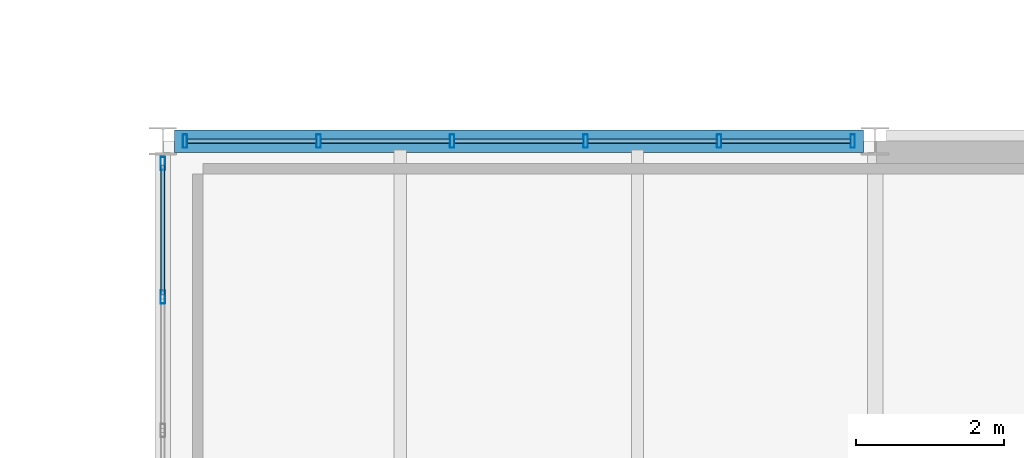
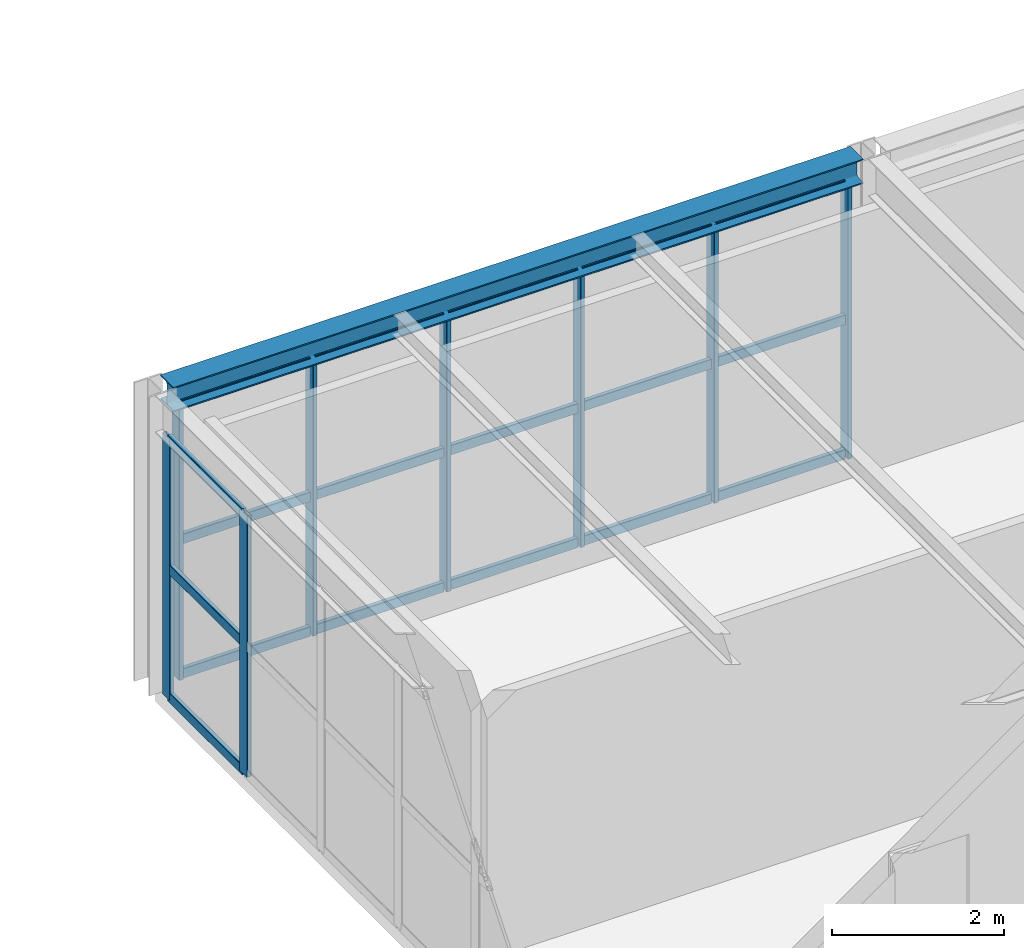
# One storey, part 117 of 170: 26 members, 1 beam, 2 elements without a shape of their own.
"""IFC4 building model written with IfcOpenShell, lengths in metres."""

from ifc_helpers import new_model, si_unit, direction, frame, origin, origin_2d, place, context, subcontext, project, spatial, hollow_rectangle, i_section, extrude, material, material_profile, profile_set, type_object, element, aggregate, save


model = new_model("IFC4")

# Units and contexts
model_context = context("Model", 3, precision=1e-05, world=origin(), true_north=direction((0.0, 1.0)))
body_context = subcontext(model_context, "Body", "Model", "MODEL_VIEW")
ifc_project = project(units=[si_unit("LENGTHUNIT", "METRE"), si_unit("AREAUNIT", "SQUARE_METRE"), si_unit("VOLUMEUNIT", "CUBIC_METRE"), si_unit("PLANEANGLEUNIT", "RADIAN"), si_unit("MASSUNIT", "GRAM", prefix="KILO")], contexts=[model_context])

# Site, building, storey
site_placement = place(None, origin())
site = spatial("IfcSite", under=ifc_project, at=site_placement, CompositionType="ELEMENT")
building_placement = place(site_placement, origin())
building = spatial("IfcBuilding", under=site, at=building_placement, Name="Coralgate Yard Interchange", CompositionType="ELEMENT")
storey_placement = place(building_placement, frame((0.0, 0.0, 6.0)))
storey = spatial("IfcBuildingStorey", under=building, at=storey_placement, Name="L01", CompositionType="ELEMENT", Elevation=6.0)

# Beam
ifc_material_1 = material(Name="Structural steel S355J2", Category="steel")
ifc_material_profile_1 = material_profile(ifc_material_1, i_section(OverallWidth=0.300048828125, OverallDepth=0.35009765625, WebThickness=0.010009765625, FlangeThickness=0.017578125, FilletRadius=0.027099609375, at=origin_2d()), Name="HEA 360")
ifc_profile_set_1 = profile_set([ifc_material_profile_1], Name="Structural steel S355J2")
beam_type = type_object("IfcBeamType", Name="BM-SP-1", PredefinedType="SPANDREL", material=ifc_profile_set_1)
beam_placement = place(storey_placement, frame((134.556396484375, 19.199951171875, 4.074951171875), z_axis=(1.0, 0.0, 0.0), x_axis=(0.0, 1.0, 0.0)))
element("IfcBeam", 1, at=beam_placement, inside=storey, type_object=beam_type, Name="L01 primary grid beam Y2 X14-15", PredefinedType="SPANDREL", context=body_context, shape_type="SweptSolid", body=[
    extrude(i_section(OverallWidth=0.300048828125, OverallDepth=0.35009765625, WebThickness=0.010009765625, FlangeThickness=0.017578125, FilletRadius=0.027099609375, at=origin_2d()), origin(), (0.0, 0.0, 1.0), 9.287353515625),
])

# Curtain wall, members
ifc_material_2 = material(Name="Anodised coastal aluminium and solar-control low-E glass", Category="aluminium")
curtain_wall_type_1 = type_object("IfcCurtainWallType", Name="CW-CW-L01-A", PredefinedType="NOTDEFINED", material=ifc_material_2)
curtain_wall_1_placement = place(storey_placement, origin())
curtain_wall_1 = element("IfcCurtainWall", 2, at=curtain_wall_1_placement, inside=storey, type_object=curtain_wall_type_1, Name="L01 unitised curtain wall CW-L01-W-14-01", PredefinedType="NOTDEFINED")
ifc_material_3 = material(Name="Anodised coastal aluminium 6063-T6", Category="aluminium")
ifc_material_profile_2 = material_profile(ifc_material_3, hollow_rectangle(XDim=0.06005859375, YDim=0.179931640625, WallThickness=0.00390625, InnerFilletRadius=0.00390625, OuterFilletRadius=0.008056640625, at=origin_2d()), Name="ALU 60x180x4")
ifc_profile_set_2 = profile_set([ifc_material_profile_2], Name="Anodised coastal aluminium 6063-T6")
member_type_1 = type_object("IfcMemberType", Name="MB-MUL-180", PredefinedType="MULLION", material=ifc_profile_set_2)
member_1_placement = place(storey_placement, frame((134.39990234375, 17.10009765625, 0.0), z_axis=(0.0, 0.0, 1.0), x_axis=(1.0, 0.0, 0.0)))
member_1 = element("IfcMember", 3, at=member_1_placement, type_object=member_type_1, Name="CW-L01-W-14-01 vertical mullion 5", PredefinedType="MULLION", context=body_context, shape_type="SweptSolid", body=[
    extrude(hollow_rectangle(XDim=0.06005859375, YDim=0.179931640625, WallThickness=0.00390625, InnerFilletRadius=0.00390625, OuterFilletRadius=0.008056640625, at=origin_2d()), origin(), (0.0, 0.0, 1.0), 3.716796875),
])
member_2_placement = place(storey_placement, frame((134.39990234375, 18.89990234375, 0.0), z_axis=(0.0, 0.0, 1.0), x_axis=(1.0, 0.0, 0.0)))
member_2 = element("IfcMember", 4, at=member_2_placement, type_object=member_type_1, Name="CW-L01-W-14-01 vertical mullion 6", PredefinedType="MULLION", context=body_context, shape_type="SweptSolid", body=[
    extrude(hollow_rectangle(XDim=0.06005859375, YDim=0.179931640625, WallThickness=0.00390625, InnerFilletRadius=0.00390625, OuterFilletRadius=0.008056640625, at=origin_2d()), origin(), (0.0, 0.0, 1.0), 3.716796875),
])

curtain_wall_type_2 = type_object("IfcCurtainWallType", Name="CW-CW-L01-B", PredefinedType="NOTDEFINED", material=ifc_material_2)
curtain_wall_2_placement = place(storey_placement, origin())
curtain_wall_2 = element("IfcCurtainWall", 5, at=curtain_wall_2_placement, inside=storey, type_object=curtain_wall_type_2, Name="L01 unitised curtain wall CW-L01-N-14-01", PredefinedType="NOTDEFINED")
member_3_placement = place(storey_placement, frame((134.699951171875, 19.199951171875, 0.0), z_axis=(0.0, 0.0, 1.0), x_axis=(1.0, 0.0, 0.0)))
member_3 = element("IfcMember", 6, at=member_3_placement, type_object=member_type_1, Name="CW-L01-N-14-01 vertical mullion 1", PredefinedType="MULLION", context=body_context, shape_type="SweptSolid", body=[
    extrude(hollow_rectangle(XDim=0.06005859375, YDim=0.179931640625, WallThickness=0.00390625, InnerFilletRadius=0.00390625, OuterFilletRadius=0.008056640625, at=origin_2d()), origin(), (0.0, 0.0, 1.0), 3.89990234375),
])
member_4_placement = place(storey_placement, frame((136.5, 19.199951171875, 0.0), z_axis=(0.0, 0.0, 1.0), x_axis=(1.0, 0.0, 0.0)))
member_4 = element("IfcMember", 7, at=member_4_placement, type_object=member_type_1, Name="CW-L01-N-14-01 vertical mullion 2", PredefinedType="MULLION", context=body_context, shape_type="SweptSolid", body=[
    extrude(hollow_rectangle(XDim=0.06005859375, YDim=0.179931640625, WallThickness=0.00390625, InnerFilletRadius=0.00390625, OuterFilletRadius=0.008056640625, at=origin_2d()), origin(), (0.0, 0.0, 1.0), 3.89990234375),
])
member_5_placement = place(storey_placement, frame((138.300048828125, 19.199951171875, 0.0), z_axis=(0.0, 0.0, 1.0), x_axis=(1.0, 0.0, 0.0)))
member_5 = element("IfcMember", 8, at=member_5_placement, type_object=member_type_1, Name="CW-L01-N-14-01 vertical mullion 3", PredefinedType="MULLION", context=body_context, shape_type="SweptSolid", body=[
    extrude(hollow_rectangle(XDim=0.06005859375, YDim=0.179931640625, WallThickness=0.00390625, InnerFilletRadius=0.00390625, OuterFilletRadius=0.008056640625, at=origin_2d()), origin(), (0.0, 0.0, 1.0), 3.89990234375),
])
member_6_placement = place(storey_placement, frame((140.10009765625, 19.199951171875, 0.0), z_axis=(0.0, 0.0, 1.0), x_axis=(1.0, 0.0, 0.0)))
member_6 = element("IfcMember", 9, at=member_6_placement, type_object=member_type_1, Name="CW-L01-N-14-01 vertical mullion 4", PredefinedType="MULLION", context=body_context, shape_type="SweptSolid", body=[
    extrude(hollow_rectangle(XDim=0.06005859375, YDim=0.179931640625, WallThickness=0.00390625, InnerFilletRadius=0.00390625, OuterFilletRadius=0.008056640625, at=origin_2d()), origin(), (0.0, 0.0, 1.0), 3.89990234375),
])
member_7_placement = place(storey_placement, frame((141.89990234375, 19.199951171875, 0.0), z_axis=(0.0, 0.0, 1.0), x_axis=(1.0, 0.0, 0.0)))
member_7 = element("IfcMember", 10, at=member_7_placement, type_object=member_type_1, Name="CW-L01-N-14-01 vertical mullion 5", PredefinedType="MULLION", context=body_context, shape_type="SweptSolid", body=[
    extrude(hollow_rectangle(XDim=0.06005859375, YDim=0.179931640625, WallThickness=0.00390625, InnerFilletRadius=0.00390625, OuterFilletRadius=0.008056640625, at=origin_2d()), origin(), (0.0, 0.0, 1.0), 3.89990234375),
])
member_8_placement = place(storey_placement, frame((143.699951171875, 19.199951171875, 0.0), z_axis=(0.0, 0.0, 1.0), x_axis=(1.0, 0.0, 0.0)))
member_8 = element("IfcMember", 11, at=member_8_placement, type_object=member_type_1, Name="CW-L01-N-14-01 vertical mullion 6", PredefinedType="MULLION", context=body_context, shape_type="SweptSolid", body=[
    extrude(hollow_rectangle(XDim=0.06005859375, YDim=0.179931640625, WallThickness=0.00390625, InnerFilletRadius=0.00390625, OuterFilletRadius=0.008056640625, at=origin_2d()), origin(), (0.0, 0.0, 1.0), 3.89990234375),
])

# Member
ifc_material_profile_3 = material_profile(ifc_material_3, hollow_rectangle(XDim=0.06005859375, YDim=0.139892578125, WallThickness=0.00341796875, InnerFilletRadius=0.00341796875, OuterFilletRadius=0.007080078125, at=origin_2d()), Name="ALU 60x140x3.5")
ifc_profile_set_3 = profile_set([ifc_material_profile_3], Name="Anodised coastal aluminium 6063-T6")
member_type_2 = type_object("IfcMemberType", Name="MB-TRN-140", PredefinedType="USERDEFINED", material=ifc_profile_set_3)
member_9_placement = place(storey_placement, frame((134.39990234375, 17.1298828125, 0.034912109375), z_axis=(0.0, 1.0, 0.0), x_axis=(-1.0, 0.0, 0.0)))
member_9 = element("IfcMember", 12, at=member_9_placement, type_object=member_type_2, Name="CW-L01-W-14-01 horizontal transom 5-1", ObjectType="TRANSOM", PredefinedType="USERDEFINED", context=body_context, shape_type="SweptSolid", body=[
    extrude(hollow_rectangle(XDim=0.06005859375, YDim=0.139892578125, WallThickness=0.00341796875, InnerFilletRadius=0.00341796875, OuterFilletRadius=0.007080078125, at=origin_2d()), origin(), (0.0, 0.0, 1.0), 1.740234375),
])

member_10_placement = place(storey_placement, frame((134.39990234375, 17.1298828125, 1.8583984375), z_axis=(0.0, 1.0, 0.0), x_axis=(-1.0, 0.0, 0.0)))
member_10 = element("IfcMember", 13, at=member_10_placement, type_object=member_type_2, Name="CW-L01-W-14-01 horizontal transom 5-2", ObjectType="TRANSOM", PredefinedType="USERDEFINED", context=body_context, shape_type="SweptSolid", body=[
    extrude(hollow_rectangle(XDim=0.06005859375, YDim=0.139892578125, WallThickness=0.00341796875, InnerFilletRadius=0.00341796875, OuterFilletRadius=0.007080078125, at=origin_2d()), origin(), (0.0, 0.0, 1.0), 1.740234375),
])

member_11_placement = place(storey_placement, frame((134.39990234375, 17.1298828125, 3.681884765625), z_axis=(0.0, 1.0, 0.0), x_axis=(-1.0, 0.0, 0.0)))
member_11 = element("IfcMember", 14, at=member_11_placement, type_object=member_type_2, Name="CW-L01-W-14-01 horizontal transom 5-3", ObjectType="TRANSOM", PredefinedType="USERDEFINED", context=body_context, shape_type="SweptSolid", body=[
    extrude(hollow_rectangle(XDim=0.06005859375, YDim=0.139892578125, WallThickness=0.00341796875, InnerFilletRadius=0.00341796875, OuterFilletRadius=0.007080078125, at=origin_2d()), origin(), (0.0, 0.0, 1.0), 1.740234375),
])

aggregate(curtain_wall_1, [member_1, member_2, member_9, member_10, member_11])

member_12_placement = place(storey_placement, frame((134.72998046875, 19.199951171875, 0.034912109375), z_axis=(1.0, 0.0, 0.0), x_axis=(0.0, 1.0, 0.0)))
member_12 = element("IfcMember", 15, at=member_12_placement, type_object=member_type_2, Name="CW-L01-N-14-01 horizontal transom 1-1", ObjectType="TRANSOM", PredefinedType="USERDEFINED", context=body_context, shape_type="SweptSolid", body=[
    extrude(hollow_rectangle(XDim=0.06005859375, YDim=0.139892578125, WallThickness=0.00341796875, InnerFilletRadius=0.00341796875, OuterFilletRadius=0.007080078125, at=origin_2d()), origin(), (0.0, 0.0, 1.0), 1.739990234375),
])

member_13_placement = place(storey_placement, frame((134.72998046875, 19.199951171875, 1.949951171875), z_axis=(1.0, 0.0, 0.0), x_axis=(0.0, 1.0, 0.0)))
member_13 = element("IfcMember", 16, at=member_13_placement, type_object=member_type_2, Name="CW-L01-N-14-01 horizontal transom 1-2", ObjectType="TRANSOM", PredefinedType="USERDEFINED", context=body_context, shape_type="SweptSolid", body=[
    extrude(hollow_rectangle(XDim=0.06005859375, YDim=0.139892578125, WallThickness=0.00341796875, InnerFilletRadius=0.00341796875, OuterFilletRadius=0.007080078125, at=origin_2d()), origin(), (0.0, 0.0, 1.0), 1.739990234375),
])

member_14_placement = place(storey_placement, frame((134.72998046875, 19.199951171875, 3.864990234375), z_axis=(1.0, 0.0, 0.0), x_axis=(0.0, 1.0, 0.0)))
member_14 = element("IfcMember", 17, at=member_14_placement, type_object=member_type_2, Name="CW-L01-N-14-01 horizontal transom 1-3", ObjectType="TRANSOM", PredefinedType="USERDEFINED", context=body_context, shape_type="SweptSolid", body=[
    extrude(hollow_rectangle(XDim=0.06005859375, YDim=0.139892578125, WallThickness=0.00341796875, InnerFilletRadius=0.00341796875, OuterFilletRadius=0.007080078125, at=origin_2d()), origin(), (0.0, 0.0, 1.0), 1.739990234375),
])

member_15_placement = place(storey_placement, frame((136.530029296875, 19.199951171875, 0.034912109375), z_axis=(1.0, 0.0, 0.0), x_axis=(0.0, 1.0, 0.0)))
member_15 = element("IfcMember", 18, at=member_15_placement, type_object=member_type_2, Name="CW-L01-N-14-01 horizontal transom 2-1", ObjectType="TRANSOM", PredefinedType="USERDEFINED", context=body_context, shape_type="SweptSolid", body=[
    extrude(hollow_rectangle(XDim=0.06005859375, YDim=0.139892578125, WallThickness=0.00341796875, InnerFilletRadius=0.00341796875, OuterFilletRadius=0.007080078125, at=origin_2d()), origin(), (0.0, 0.0, 1.0), 1.739990234375),
])

member_16_placement = place(storey_placement, frame((136.530029296875, 19.199951171875, 1.949951171875), z_axis=(1.0, 0.0, 0.0), x_axis=(0.0, 1.0, 0.0)))
member_16 = element("IfcMember", 19, at=member_16_placement, type_object=member_type_2, Name="CW-L01-N-14-01 horizontal transom 2-2", ObjectType="TRANSOM", PredefinedType="USERDEFINED", context=body_context, shape_type="SweptSolid", body=[
    extrude(hollow_rectangle(XDim=0.06005859375, YDim=0.139892578125, WallThickness=0.00341796875, InnerFilletRadius=0.00341796875, OuterFilletRadius=0.007080078125, at=origin_2d()), origin(), (0.0, 0.0, 1.0), 1.739990234375),
])

member_17_placement = place(storey_placement, frame((136.530029296875, 19.199951171875, 3.864990234375), z_axis=(1.0, 0.0, 0.0), x_axis=(0.0, 1.0, 0.0)))
member_17 = element("IfcMember", 20, at=member_17_placement, type_object=member_type_2, Name="CW-L01-N-14-01 horizontal transom 2-3", ObjectType="TRANSOM", PredefinedType="USERDEFINED", context=body_context, shape_type="SweptSolid", body=[
    extrude(hollow_rectangle(XDim=0.06005859375, YDim=0.139892578125, WallThickness=0.00341796875, InnerFilletRadius=0.00341796875, OuterFilletRadius=0.007080078125, at=origin_2d()), origin(), (0.0, 0.0, 1.0), 1.739990234375),
])

member_18_placement = place(storey_placement, frame((138.330078125, 19.199951171875, 0.034912109375), z_axis=(1.0, 0.0, 0.0), x_axis=(0.0, 1.0, 0.0)))
member_18 = element("IfcMember", 21, at=member_18_placement, type_object=member_type_2, Name="CW-L01-N-14-01 horizontal transom 3-1", ObjectType="TRANSOM", PredefinedType="USERDEFINED", context=body_context, shape_type="SweptSolid", body=[
    extrude(hollow_rectangle(XDim=0.06005859375, YDim=0.139892578125, WallThickness=0.00341796875, InnerFilletRadius=0.00341796875, OuterFilletRadius=0.007080078125, at=origin_2d()), origin(), (0.0, 0.0, 1.0), 1.739990234375),
])

member_19_placement = place(storey_placement, frame((138.330078125, 19.199951171875, 1.949951171875), z_axis=(1.0, 0.0, 0.0), x_axis=(0.0, 1.0, 0.0)))
member_19 = element("IfcMember", 22, at=member_19_placement, type_object=member_type_2, Name="CW-L01-N-14-01 horizontal transom 3-2", ObjectType="TRANSOM", PredefinedType="USERDEFINED", context=body_context, shape_type="SweptSolid", body=[
    extrude(hollow_rectangle(XDim=0.06005859375, YDim=0.139892578125, WallThickness=0.00341796875, InnerFilletRadius=0.00341796875, OuterFilletRadius=0.007080078125, at=origin_2d()), origin(), (0.0, 0.0, 1.0), 1.739990234375),
])

member_20_placement = place(storey_placement, frame((138.330078125, 19.199951171875, 3.864990234375), z_axis=(1.0, 0.0, 0.0), x_axis=(0.0, 1.0, 0.0)))
member_20 = element("IfcMember", 23, at=member_20_placement, type_object=member_type_2, Name="CW-L01-N-14-01 horizontal transom 3-3", ObjectType="TRANSOM", PredefinedType="USERDEFINED", context=body_context, shape_type="SweptSolid", body=[
    extrude(hollow_rectangle(XDim=0.06005859375, YDim=0.139892578125, WallThickness=0.00341796875, InnerFilletRadius=0.00341796875, OuterFilletRadius=0.007080078125, at=origin_2d()), origin(), (0.0, 0.0, 1.0), 1.739990234375),
])

member_21_placement = place(storey_placement, frame((140.1298828125, 19.199951171875, 0.034912109375), z_axis=(1.0, 0.0, 0.0), x_axis=(0.0, 1.0, 0.0)))
member_21 = element("IfcMember", 24, at=member_21_placement, type_object=member_type_2, Name="CW-L01-N-14-01 horizontal transom 4-1", ObjectType="TRANSOM", PredefinedType="USERDEFINED", context=body_context, shape_type="SweptSolid", body=[
    extrude(hollow_rectangle(XDim=0.06005859375, YDim=0.139892578125, WallThickness=0.00341796875, InnerFilletRadius=0.00341796875, OuterFilletRadius=0.007080078125, at=origin_2d()), origin(), (0.0, 0.0, 1.0), 1.740234375),
])

member_22_placement = place(storey_placement, frame((140.1298828125, 19.199951171875, 1.949951171875), z_axis=(1.0, 0.0, 0.0), x_axis=(0.0, 1.0, 0.0)))
member_22 = element("IfcMember", 25, at=member_22_placement, type_object=member_type_2, Name="CW-L01-N-14-01 horizontal transom 4-2", ObjectType="TRANSOM", PredefinedType="USERDEFINED", context=body_context, shape_type="SweptSolid", body=[
    extrude(hollow_rectangle(XDim=0.06005859375, YDim=0.139892578125, WallThickness=0.00341796875, InnerFilletRadius=0.00341796875, OuterFilletRadius=0.007080078125, at=origin_2d()), origin(), (0.0, 0.0, 1.0), 1.740234375),
])

member_23_placement = place(storey_placement, frame((140.1298828125, 19.199951171875, 3.864990234375), z_axis=(1.0, 0.0, 0.0), x_axis=(0.0, 1.0, 0.0)))
member_23 = element("IfcMember", 26, at=member_23_placement, type_object=member_type_2, Name="CW-L01-N-14-01 horizontal transom 4-3", ObjectType="TRANSOM", PredefinedType="USERDEFINED", context=body_context, shape_type="SweptSolid", body=[
    extrude(hollow_rectangle(XDim=0.06005859375, YDim=0.139892578125, WallThickness=0.00341796875, InnerFilletRadius=0.00341796875, OuterFilletRadius=0.007080078125, at=origin_2d()), origin(), (0.0, 0.0, 1.0), 1.740234375),
])

member_24_placement = place(storey_placement, frame((141.929931640625, 19.199951171875, 0.034912109375), z_axis=(1.0, 0.0, 0.0), x_axis=(0.0, 1.0, 0.0)))
member_24 = element("IfcMember", 27, at=member_24_placement, type_object=member_type_2, Name="CW-L01-N-14-01 horizontal transom 5-1", ObjectType="TRANSOM", PredefinedType="USERDEFINED", context=body_context, shape_type="SweptSolid", body=[
    extrude(hollow_rectangle(XDim=0.06005859375, YDim=0.139892578125, WallThickness=0.00341796875, InnerFilletRadius=0.00341796875, OuterFilletRadius=0.007080078125, at=origin_2d()), origin(), (0.0, 0.0, 1.0), 1.739990234375),
])

member_25_placement = place(storey_placement, frame((141.929931640625, 19.199951171875, 1.949951171875), z_axis=(1.0, 0.0, 0.0), x_axis=(0.0, 1.0, 0.0)))
member_25 = element("IfcMember", 28, at=member_25_placement, type_object=member_type_2, Name="CW-L01-N-14-01 horizontal transom 5-2", ObjectType="TRANSOM", PredefinedType="USERDEFINED", context=body_context, shape_type="SweptSolid", body=[
    extrude(hollow_rectangle(XDim=0.06005859375, YDim=0.139892578125, WallThickness=0.00341796875, InnerFilletRadius=0.00341796875, OuterFilletRadius=0.007080078125, at=origin_2d()), origin(), (0.0, 0.0, 1.0), 1.739990234375),
])

member_26_placement = place(storey_placement, frame((141.929931640625, 19.199951171875, 3.864990234375), z_axis=(1.0, 0.0, 0.0), x_axis=(0.0, 1.0, 0.0)))
member_26 = element("IfcMember", 29, at=member_26_placement, type_object=member_type_2, Name="CW-L01-N-14-01 horizontal transom 5-3", ObjectType="TRANSOM", PredefinedType="USERDEFINED", context=body_context, shape_type="SweptSolid", body=[
    extrude(hollow_rectangle(XDim=0.06005859375, YDim=0.139892578125, WallThickness=0.00341796875, InnerFilletRadius=0.00341796875, OuterFilletRadius=0.007080078125, at=origin_2d()), origin(), (0.0, 0.0, 1.0), 1.739990234375),
])

aggregate(curtain_wall_2, [member_3, member_4, member_5, member_6, member_7, member_8, member_12, member_13, member_14, member_15, member_16, member_17, member_18, member_19, member_20, member_21, member_22, member_23, member_24, member_25, member_26])

save(model, "model.ifc")
